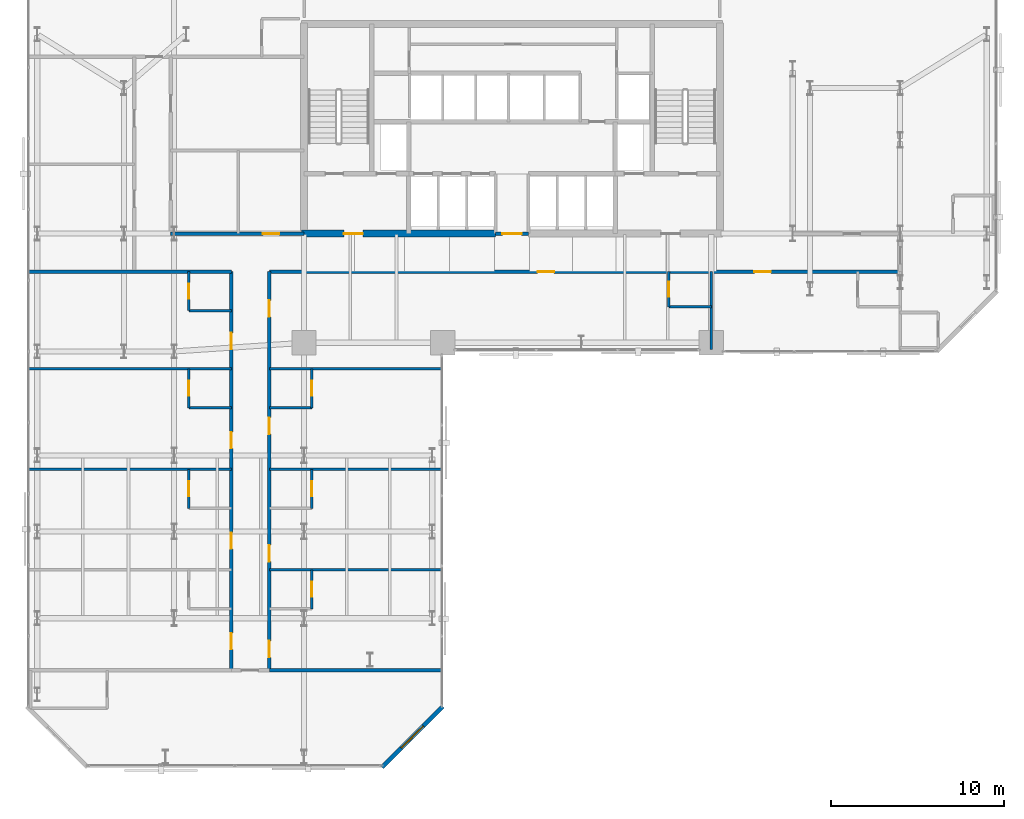
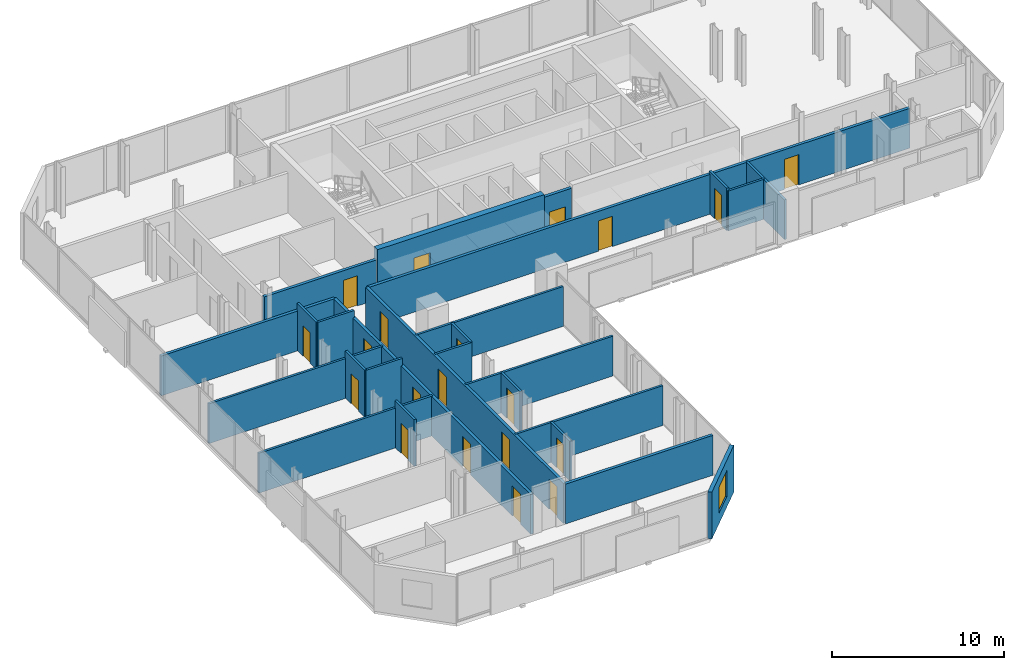
# One storey, part 29 of 33: 26 walls, 20 doors, 1 window, 21 openings.
"""IFC4 building model written with IfcOpenShell, lengths in metres."""

from ifc_helpers import new_model, si_unit, direction, frame, frame_2d, origin, place, context, subcontext, project, spatial, rectangle, extrude, material, layer, layer_set, type_object, element, fill, save


model = new_model("IFC4")

# Units and contexts
model_context = context("Model", 3, precision=1e-05, world=origin(), true_north=direction((0.0, 1.0)))
body_context = subcontext(model_context, "Body", "Model", "MODEL_VIEW")
ifc_project = project(units=[si_unit("LENGTHUNIT", "METRE"), si_unit("AREAUNIT", "SQUARE_METRE"), si_unit("VOLUMEUNIT", "CUBIC_METRE"), si_unit("PLANEANGLEUNIT", "RADIAN"), si_unit("MASSUNIT", "GRAM", prefix="KILO")], contexts=[model_context])

# Site, building, storey
site_placement = place(None, origin())
site = spatial("IfcSite", under=ifc_project, at=site_placement, CompositionType="ELEMENT")
building_placement = place(site_placement, origin())
building = spatial("IfcBuilding", under=site, at=building_placement, Name="Catumbela Crestline Tower", CompositionType="ELEMENT")
storey_placement = place(building_placement, frame((0.0, 0.0, 72.6)))
storey = spatial("IfcBuildingStorey", under=building, at=storey_placement, Name="L18", CompositionType="ELEMENT", Elevation=72.6)

# Wall, opening, door
ifc_material_1 = material(Name="Concrete C60/75", Category="concrete")
ifc_layer_1 = layer(ifc_material_1, 0.4, Name="Concrete C60/75")
ifc_layer_set_1 = layer_set([ifc_layer_1], Name="Concrete C60/75")
wall_type_1 = type_object("IfcWallType", Name="CW-400A", PredefinedType="SHEAR", material=ifc_layer_set_1)
wall_1_placement = place(storey_placement, frame((15.85, 30.8, 0.0), z_axis=(0.0, 0.0, 1.0), x_axis=(1.0, 0.0, 0.0)))
wall_1 = element("IfcWall", 1, at=wall_1_placement, inside=storey, type_object=wall_type_1, Name="L18 Structural Core Shear Wall SW", PredefinedType="SHEAR", context=body_context, shape_type="SweptSolid", body=[
    extrude(rectangle(XDim=11.2, YDim=0.4, at=frame_2d((5.6, 0.0))), origin(), (0.0, 0.0, 1.0), 3.6),
])
opening_1_placement = place(wall_1_placement, frame((2.45, 0.0, 0.0)))
opening_1 = element("IfcOpeningElement", 2, at=opening_1_placement, cuts=wall_1, Name="Opening DF9-110", PredefinedType="OPENING", context=body_context, shape_type="SweptSolid", body=[
    extrude(rectangle(XDim=1.1, YDim=2.15, at=frame_2d((0.55, 1.075))), frame((0.0, 0.21, 0.0), z_axis=(0.0, -1.0, 0.0), x_axis=(1.0, 0.0, 0.0)), (0.0, 0.0, 1.0), 0.42),
])
ifc_material_2 = material(Name="Stainless steel EN 1.4401", Category="steel")
door_type_1 = type_object("IfcDoorType", Name="DF9-110", OperationType="NOTDEFINED", PredefinedType="DOOR", material=ifc_material_2)
door_1_placement = place(opening_1_placement, origin())
door_1 = element("IfcDoor", 3, at=door_1_placement, inside=storey, type_object=door_type_1, Name="L18 Interior Door DR-L18-FFW-S", OperationType="SINGLE_SWING_LEFT", OverallHeight=2.15, OverallWidth=1.1, PredefinedType="DOOR", context=body_context, shape_type="SweptSolid", body=[
    extrude(rectangle(XDim=1.1, YDim=2.15, at=frame_2d((0.55, 1.075))), frame((0.0, 0.025, 0.0), z_axis=(0.0, -1.0, 0.0), x_axis=(1.0, 0.0, 0.0)), (0.0, 0.0, 1.0), 0.05),
])
fill(opening_1, door_1)

ifc_material_3 = material(Name="Acoustic gypsum and mineral-wool partition")
ifc_layer_2 = layer(ifc_material_3, 0.2, Name="Acoustic gypsum and mineral-wool partition")
ifc_layer_set_2 = layer_set([ifc_layer_2], Name="Acoustic gypsum and mineral-wool partition")
wall_type_2 = type_object("IfcWallType", Name="WC-200", PredefinedType="PARTITIONING", material=ifc_layer_set_2)
wall_2_placement = place(storey_placement, frame((27.05, 30.8, 0.0), z_axis=(0.0, 0.0, 1.0), x_axis=(1.0, 0.0, 0.0)))
wall_2 = element("IfcWall", 4, at=wall_2_placement, inside=storey, type_object=wall_type_2, Name="L18 Interior Partition PW-L18-CLOBS", PredefinedType="PARTITIONING", context=body_context, shape_type="SweptSolid", body=[
    extrude(rectangle(XDim=1.9, YDim=0.2, at=frame_2d((0.95, 0.0))), origin(), (0.0, 0.0, 1.0), 3.33),
])
opening_2_placement = place(wall_2_placement, frame((0.4, 0.0, 0.0)))
opening_2 = element("IfcOpeningElement", 5, at=opening_2_placement, cuts=wall_2, Name="Opening DF9-110", PredefinedType="OPENING", context=body_context, shape_type="SweptSolid", body=[
    extrude(rectangle(XDim=1.1, YDim=2.15, at=frame_2d((0.55, 1.075))), frame((0.0, 0.11, 0.0), z_axis=(0.0, -1.0, 0.0), x_axis=(1.0, 0.0, 0.0)), (0.0, 0.0, 1.0), 0.22),
])
door_2_placement = place(opening_2_placement, origin())
door_2 = element("IfcDoor", 6, at=door_2_placement, inside=storey, type_object=door_type_1, Name="L18 Interior Door DR-L18-CLOBS", OperationType="SINGLE_SWING_LEFT", OverallHeight=2.15, OverallWidth=1.1, PredefinedType="DOOR", context=body_context, shape_type="SweptSolid", body=[
    extrude(rectangle(XDim=1.1, YDim=2.15, at=frame_2d((0.55, 1.075))), frame((0.0, 0.025, 0.0), z_axis=(0.0, -1.0, 0.0), x_axis=(1.0, 0.0, 0.0)), (0.0, 0.0, 1.0), 0.05),
])
fill(opening_2, door_2)

# Wall
wall_3_placement = place(storey_placement, frame((0.1, 28.6, 0.0), z_axis=(0.0, 0.0, 1.0), x_axis=(1.0, 0.0, 0.0)))
element("IfcWall", 7, at=wall_3_placement, inside=storey, type_object=wall_type_2, Name="L18 Interior Partition PW-L18-CWGL-N", PredefinedType="PARTITIONING", context=body_context, shape_type="SweptSolid", body=[
    extrude(rectangle(XDim=11.7, YDim=0.2, at=frame_2d((5.85, 0.0))), origin(), (0.0, 0.0, 1.0), 2.83),
])

# Wall, openings, doors
wall_4_placement = place(storey_placement, frame((14.0, 28.6, 0.0), z_axis=(0.0, 0.0, 1.0), x_axis=(1.0, 0.0, 0.0)))
wall_4 = element("IfcWall", 8, at=wall_4_placement, inside=storey, type_object=wall_type_2, Name="L18 Interior Partition PW-L18-CWGR-N", PredefinedType="PARTITIONING", context=body_context, shape_type="SweptSolid", body=[
    extrude(rectangle(XDim=36.4, YDim=0.2, at=frame_2d((18.2, 0.0))), origin(), (0.0, 0.0, 1.0), 2.83),
])
opening_3_placement = place(wall_4_placement, frame((15.475, 0.0, 0.0)))
opening_3 = element("IfcOpeningElement", 9, at=opening_3_placement, cuts=wall_4, Name="Opening DF6-095", PredefinedType="OPENING", context=body_context, shape_type="SweptSolid", body=[
    extrude(rectangle(XDim=0.95, YDim=2.15, at=frame_2d((0.475, 1.075))), frame((0.0, 0.11, 0.0), z_axis=(0.0, -1.0, 0.0), x_axis=(1.0, 0.0, 0.0)), (0.0, 0.0, 1.0), 0.22),
])
opening_4_placement = place(wall_4_placement, frame((27.9859, 0.0, 0.0)))
opening_4 = element("IfcOpeningElement", 10, at=opening_4_placement, cuts=wall_4, Name="Opening DF6-095", PredefinedType="OPENING", context=body_context, shape_type="SweptSolid", body=[
    extrude(rectangle(XDim=0.95, YDim=2.15, at=frame_2d((0.475, 1.075))), frame((0.0, 0.11, 0.0), z_axis=(0.0, -1.0, 0.0), x_axis=(1.0, 0.0, 0.0)), (0.0, 0.0, 1.0), 0.22),
])
ifc_material_4 = material(Name="Aluminium alloy AW-6060-T66", Category="aluminium")
door_type_2 = type_object("IfcDoorType", Name="DF6-095", OperationType="NOTDEFINED", PredefinedType="DOOR", material=ifc_material_4)
door_3_placement = place(opening_3_placement, origin())
door_3 = element("IfcDoor", 11, at=door_3_placement, inside=storey, type_object=door_type_2, Name="L18 Interior Door DR-L18-K1-ENT", OperationType="SINGLE_SWING_LEFT", OverallHeight=2.15, OverallWidth=0.95, PredefinedType="DOOR", context=body_context, shape_type="SweptSolid", body=[
    extrude(rectangle(XDim=0.95, YDim=2.15, at=frame_2d((0.475, 1.075))), frame((0.0, 0.025, 0.0), z_axis=(0.0, -1.0, 0.0), x_axis=(1.0, 0.0, 0.0)), (0.0, 0.0, 1.0), 0.05),
])
fill(opening_3, door_3)
door_4_placement = place(opening_4_placement, origin())
door_4 = element("IfcDoor", 12, at=door_4_placement, inside=storey, type_object=door_type_2, Name="L18 Interior Door DR-L18-K2-ENT", OperationType="SINGLE_SWING_RIGHT", OverallHeight=2.15, OverallWidth=0.95, PredefinedType="DOOR", context=body_context, shape_type="SweptSolid", body=[
    extrude(rectangle(XDim=0.95, YDim=2.15, at=frame_2d((0.475, 1.075))), frame((0.0, 0.025, 0.0), z_axis=(0.0, -1.0, 0.0), x_axis=(1.0, 0.0, 0.0)), (0.0, 0.0, 1.0), 0.05),
])
fill(opening_4, door_4)

# Wall, opening, door
wall_5_placement = place(storey_placement, frame((8.3, 30.8, 0.0), z_axis=(0.0, 0.0, 1.0), x_axis=(1.0, 0.0, 0.0)))
wall_5 = element("IfcWall", 13, at=wall_5_placement, inside=storey, type_object=wall_type_2, Name="L18 Interior Partition PW-L18-HK-S", PredefinedType="PARTITIONING", context=body_context, shape_type="SweptSolid", body=[
    extrude(rectangle(XDim=7.7, YDim=0.2, at=frame_2d((3.85, 0.0))), origin(), (0.0, 0.0, 1.0), 2.83),
])
opening_5_placement = place(wall_5_placement, frame((5.325, 0.0, 0.0)))
opening_5 = element("IfcOpeningElement", 14, at=opening_5_placement, cuts=wall_5, Name="Opening DF6-095", PredefinedType="OPENING", context=body_context, shape_type="SweptSolid", body=[
    extrude(rectangle(XDim=0.95, YDim=2.15, at=frame_2d((0.475, 1.075))), frame((0.0, 0.11, 0.0), z_axis=(0.0, -1.0, 0.0), x_axis=(1.0, 0.0, 0.0)), (0.0, 0.0, 1.0), 0.22),
])
door_5_placement = place(opening_5_placement, origin())
door_5 = element("IfcDoor", 15, at=door_5_placement, inside=storey, type_object=door_type_2, Name="L18 Interior Door DR-L18-HKP", OperationType="SINGLE_SWING_LEFT", OverallHeight=2.15, OverallWidth=0.95, PredefinedType="DOOR", context=body_context, shape_type="SweptSolid", body=[
    extrude(rectangle(XDim=0.95, YDim=2.15, at=frame_2d((0.475, 1.075))), frame((0.0, 0.025, 0.0), z_axis=(0.0, -1.0, 0.0), x_axis=(1.0, 0.0, 0.0)), (0.0, 0.0, 1.0), 0.05),
])
fill(opening_5, door_5)

# Wall, openings, doors
wall_6_placement = place(storey_placement, frame((11.8, 5.6, 0.0), z_axis=(0.0, 0.0, 1.0), x_axis=(0.0, 1.0, 0.0)))
wall_6 = element("IfcWall", 16, at=wall_6_placement, inside=storey, type_object=wall_type_2, Name="L18 Interior Partition PW-L18-WL1-ENT", PredefinedType="PARTITIONING", context=body_context, shape_type="SweptSolid", body=[
    extrude(rectangle(XDim=23.0, YDim=0.2, at=frame_2d((11.5, 0.0))), origin(), (0.0, 0.0, 1.0), 2.83),
])
opening_6_placement = place(wall_6_placement, frame((1.2, 0.0, 0.0)))
opening_6 = element("IfcOpeningElement", 17, at=opening_6_placement, cuts=wall_6, Name="Opening DF6-095", PredefinedType="OPENING", context=body_context, shape_type="SweptSolid", body=[
    extrude(rectangle(XDim=0.95, YDim=2.15, at=frame_2d((0.475, 1.075))), frame((0.0, 0.11, 0.0), z_axis=(0.0, -1.0, 0.0), x_axis=(1.0, 0.0, 0.0)), (0.0, 0.0, 1.0), 0.22),
])
opening_7_placement = place(wall_6_placement, frame((7.0, 0.0, 0.0)))
opening_7 = element("IfcOpeningElement", 18, at=opening_7_placement, cuts=wall_6, Name="Opening DF6-095", PredefinedType="OPENING", context=body_context, shape_type="SweptSolid", body=[
    extrude(rectangle(XDim=0.95, YDim=2.15, at=frame_2d((0.475, 1.075))), frame((0.0, 0.11, 0.0), z_axis=(0.0, -1.0, 0.0), x_axis=(1.0, 0.0, 0.0)), (0.0, 0.0, 1.0), 0.22),
])
opening_8_placement = place(wall_6_placement, frame((12.8, 0.0, 0.0)))
opening_8 = element("IfcOpeningElement", 19, at=opening_8_placement, cuts=wall_6, Name="Opening DF6-095", PredefinedType="OPENING", context=body_context, shape_type="SweptSolid", body=[
    extrude(rectangle(XDim=0.95, YDim=2.15, at=frame_2d((0.475, 1.075))), frame((0.0, 0.11, 0.0), z_axis=(0.0, -1.0, 0.0), x_axis=(1.0, 0.0, 0.0)), (0.0, 0.0, 1.0), 0.22),
])
opening_9_placement = place(wall_6_placement, frame((18.5145, 0.0, 0.0)))
opening_9 = element("IfcOpeningElement", 20, at=opening_9_placement, cuts=wall_6, Name="Opening DF6-095", PredefinedType="OPENING", context=body_context, shape_type="SweptSolid", body=[
    extrude(rectangle(XDim=0.95, YDim=2.15, at=frame_2d((0.475, 1.075))), frame((0.0, 0.11, 0.0), z_axis=(0.0, -1.0, 0.0), x_axis=(1.0, 0.0, 0.0)), (0.0, 0.0, 1.0), 0.22),
])
door_6_placement = place(opening_6_placement, origin())
door_6 = element("IfcDoor", 21, at=door_6_placement, inside=storey, type_object=door_type_2, Name="L18 Interior Door DR-L18-WL1-ENT", OperationType="SINGLE_SWING_LEFT", OverallHeight=2.15, OverallWidth=0.95, PredefinedType="DOOR", context=body_context, shape_type="SweptSolid", body=[
    extrude(rectangle(XDim=0.95, YDim=2.15, at=frame_2d((0.475, 1.075))), frame((0.0, 0.025, 0.0), z_axis=(0.0, -1.0, 0.0), x_axis=(1.0, 0.0, 0.0)), (0.0, 0.0, 1.0), 0.05),
])
fill(opening_6, door_6)
door_7_placement = place(opening_7_placement, origin())
door_7 = element("IfcDoor", 22, at=door_7_placement, inside=storey, type_object=door_type_2, Name="L18 Interior Door DR-L18-WL2-ENT", OperationType="SINGLE_SWING_RIGHT", OverallHeight=2.15, OverallWidth=0.95, PredefinedType="DOOR", context=body_context, shape_type="SweptSolid", body=[
    extrude(rectangle(XDim=0.95, YDim=2.15, at=frame_2d((0.475, 1.075))), frame((0.0, 0.025, 0.0), z_axis=(0.0, -1.0, 0.0), x_axis=(1.0, 0.0, 0.0)), (0.0, 0.0, 1.0), 0.05),
])
fill(opening_7, door_7)
door_8_placement = place(opening_8_placement, origin())
door_8 = element("IfcDoor", 23, at=door_8_placement, inside=storey, type_object=door_type_2, Name="L18 Interior Door DR-L18-WL3-ENT", OperationType="SINGLE_SWING_LEFT", OverallHeight=2.15, OverallWidth=0.95, PredefinedType="DOOR", context=body_context, shape_type="SweptSolid", body=[
    extrude(rectangle(XDim=0.95, YDim=2.15, at=frame_2d((0.475, 1.075))), frame((0.0, 0.025, 0.0), z_axis=(0.0, -1.0, 0.0), x_axis=(1.0, 0.0, 0.0)), (0.0, 0.0, 1.0), 0.05),
])
fill(opening_8, door_8)
door_9_placement = place(opening_9_placement, origin())
door_9 = element("IfcDoor", 24, at=door_9_placement, inside=storey, type_object=door_type_2, Name="L18 Interior Door DR-L18-WL4-ENT", OperationType="SINGLE_SWING_RIGHT", OverallHeight=2.15, OverallWidth=0.95, PredefinedType="DOOR", context=body_context, shape_type="SweptSolid", body=[
    extrude(rectangle(XDim=0.95, YDim=2.15, at=frame_2d((0.475, 1.075))), frame((0.0, 0.025, 0.0), z_axis=(0.0, -1.0, 0.0), x_axis=(1.0, 0.0, 0.0)), (0.0, 0.0, 1.0), 0.05),
])
fill(opening_9, door_9)

wall_7_placement = place(storey_placement, frame((14.0, 5.6, 0.0), z_axis=(0.0, 0.0, 1.0), x_axis=(0.0, 1.0, 0.0)))
wall_7 = element("IfcWall", 25, at=wall_7_placement, inside=storey, type_object=wall_type_2, Name="L18 Interior Partition PW-L18-WR1-ENT", PredefinedType="PARTITIONING", context=body_context, shape_type="SweptSolid", body=[
    extrude(rectangle(XDim=23.0, YDim=0.2, at=frame_2d((11.5, 0.0))), origin(), (0.0, 0.0, 1.0), 2.83),
])
opening_10_placement = place(wall_7_placement, frame((0.74, 0.0, 0.0)))
opening_10 = element("IfcOpeningElement", 26, at=opening_10_placement, cuts=wall_7, Name="Opening DF6-095", PredefinedType="OPENING", context=body_context, shape_type="SweptSolid", body=[
    extrude(rectangle(XDim=0.95, YDim=2.15, at=frame_2d((0.475, 1.075))), frame((0.0, 0.11, 0.0), z_axis=(0.0, -1.0, 0.0), x_axis=(1.0, 0.0, 0.0)), (0.0, 0.0, 1.0), 0.22),
])
opening_11_placement = place(wall_7_placement, frame((6.2709, 0.0, 0.0)))
opening_11 = element("IfcOpeningElement", 27, at=opening_11_placement, cuts=wall_7, Name="Opening DF6-095", PredefinedType="OPENING", context=body_context, shape_type="SweptSolid", body=[
    extrude(rectangle(XDim=0.95, YDim=2.15, at=frame_2d((0.475, 1.075))), frame((0.0, 0.11, 0.0), z_axis=(0.0, -1.0, 0.0), x_axis=(1.0, 0.0, 0.0)), (0.0, 0.0, 1.0), 0.22),
])
opening_12_placement = place(wall_7_placement, frame((13.6255, 0.0, 0.0)))
opening_12 = element("IfcOpeningElement", 28, at=opening_12_placement, cuts=wall_7, Name="Opening DF6-095", PredefinedType="OPENING", context=body_context, shape_type="SweptSolid", body=[
    extrude(rectangle(XDim=0.95, YDim=2.15, at=frame_2d((0.475, 1.075))), frame((0.0, 0.11, 0.0), z_axis=(0.0, -1.0, 0.0), x_axis=(1.0, 0.0, 0.0)), (0.0, 0.0, 1.0), 0.22),
])
opening_13_placement = place(wall_7_placement, frame((20.3933, 0.0, 0.0)))
opening_13 = element("IfcOpeningElement", 29, at=opening_13_placement, cuts=wall_7, Name="Opening DF6-095", PredefinedType="OPENING", context=body_context, shape_type="SweptSolid", body=[
    extrude(rectangle(XDim=0.95, YDim=2.15, at=frame_2d((0.475, 1.075))), frame((0.0, 0.11, 0.0), z_axis=(0.0, -1.0, 0.0), x_axis=(1.0, 0.0, 0.0)), (0.0, 0.0, 1.0), 0.22),
])
door_10_placement = place(opening_10_placement, origin())
door_10 = element("IfcDoor", 30, at=door_10_placement, inside=storey, type_object=door_type_2, Name="L18 Interior Door DR-L18-WR1-ENT", OperationType="SINGLE_SWING_LEFT", OverallHeight=2.15, OverallWidth=0.95, PredefinedType="DOOR", context=body_context, shape_type="SweptSolid", body=[
    extrude(rectangle(XDim=0.95, YDim=2.15, at=frame_2d((0.475, 1.075))), frame((0.0, 0.025, 0.0), z_axis=(0.0, -1.0, 0.0), x_axis=(1.0, 0.0, 0.0)), (0.0, 0.0, 1.0), 0.05),
])
fill(opening_10, door_10)
door_11_placement = place(opening_11_placement, origin())
door_11 = element("IfcDoor", 31, at=door_11_placement, inside=storey, type_object=door_type_2, Name="L18 Interior Door DR-L18-WR2-ENT", OperationType="SINGLE_SWING_RIGHT", OverallHeight=2.15, OverallWidth=0.95, PredefinedType="DOOR", context=body_context, shape_type="SweptSolid", body=[
    extrude(rectangle(XDim=0.95, YDim=2.15, at=frame_2d((0.475, 1.075))), frame((0.0, 0.025, 0.0), z_axis=(0.0, -1.0, 0.0), x_axis=(1.0, 0.0, 0.0)), (0.0, 0.0, 1.0), 0.05),
])
fill(opening_11, door_11)
door_12_placement = place(opening_12_placement, origin())
door_12 = element("IfcDoor", 32, at=door_12_placement, inside=storey, type_object=door_type_2, Name="L18 Interior Door DR-L18-WR3-ENT", OperationType="SINGLE_SWING_LEFT", OverallHeight=2.15, OverallWidth=0.95, PredefinedType="DOOR", context=body_context, shape_type="SweptSolid", body=[
    extrude(rectangle(XDim=0.95, YDim=2.15, at=frame_2d((0.475, 1.075))), frame((0.0, 0.025, 0.0), z_axis=(0.0, -1.0, 0.0), x_axis=(1.0, 0.0, 0.0)), (0.0, 0.0, 1.0), 0.05),
])
fill(opening_12, door_12)
door_13_placement = place(opening_13_placement, origin())
door_13 = element("IfcDoor", 33, at=door_13_placement, inside=storey, type_object=door_type_2, Name="L18 Interior Door DR-L18-WR4-ENT", OperationType="SINGLE_SWING_RIGHT", OverallHeight=2.15, OverallWidth=0.95, PredefinedType="DOOR", context=body_context, shape_type="SweptSolid", body=[
    extrude(rectangle(XDim=0.95, YDim=2.15, at=frame_2d((0.475, 1.075))), frame((0.0, 0.025, 0.0), z_axis=(0.0, -1.0, 0.0), x_axis=(1.0, 0.0, 0.0)), (0.0, 0.0, 1.0), 0.05),
])
fill(opening_13, door_13)

# Wall, opening, window
ifc_material_5 = material(Name="Angolan grey-ochre granite", Category="masonry")
ifc_layer_3 = layer(ifc_material_5, 0.25, Name="Angolan grey-ochre granite")
ifc_layer_set_3 = layer_set([ifc_layer_3], Name="Angolan grey-ochre granite")
wall_type_3 = type_object("IfcWallType", Name="WE-250", PredefinedType="STANDARD", material=ifc_layer_set_3)
wall_8_placement = place(storey_placement, frame((20.5, 0.0, 0.0), z_axis=(0.0, 0.0, 1.0), x_axis=(0.707106781187, 0.707106781187, 0.0)))
wall_8 = element("IfcWall", 34, at=wall_8_placement, inside=storey, type_object=wall_type_3, Name="L18 Granite Punched Window Wall 1-1", PredefinedType="STANDARD", context=body_context, shape_type="SweptSolid", body=[
    extrude(rectangle(XDim=4.9497, YDim=0.25, at=frame_2d((2.4748, 0.0))), origin(), (0.0, 0.0, 1.0), 3.33),
])
opening_14_placement = place(wall_8_placement, frame((1.5749, 0.0, 0.75)))
opening_14 = element("IfcOpeningElement", 35, at=opening_14_placement, cuts=wall_8, Name="Opening WN-01", PredefinedType="OPENING", context=body_context, shape_type="SweptSolid", body=[
    extrude(rectangle(XDim=1.8, YDim=1.85, at=frame_2d((0.9, 0.925))), frame((0.0, 0.135, 0.0), z_axis=(0.0, -1.0, 0.0), x_axis=(1.0, 0.0, 0.0)), (0.0, 0.0, 1.0), 0.27),
])
ifc_material_6 = material(Name="Low-E laminated solar-control double glazing", Category="glass")
window_type = type_object("IfcWindowType", Name="WF-1800", PartitioningType="SINGLE_PANEL", PredefinedType="WINDOW", material=ifc_material_6)
window_placement = place(opening_14_placement, origin())
window = element("IfcWindow", 36, at=window_placement, inside=storey, type_object=window_type, Name="L18 Facade Vision Window 113", OverallHeight=1.85, OverallWidth=1.8, PartitioningType="SINGLE_PANEL", PredefinedType="WINDOW", context=body_context, shape_type="SweptSolid", body=[
    extrude(rectangle(XDim=1.8, YDim=1.85, at=frame_2d((0.9, 0.925))), frame((0.0, 0.03, 0.0), z_axis=(0.0, -1.0, 0.0), x_axis=(1.0, 0.0, 0.0)), (0.0, 0.0, 1.0), 0.06),
])
fill(opening_14, window)

# Wall
ifc_layer_4 = layer(ifc_material_3, 0.15, Name="Acoustic gypsum and mineral-wool partition")
ifc_layer_set_4 = layer_set([ifc_layer_4], Name="Acoustic gypsum and mineral-wool partition")
wall_type_4 = type_object("IfcWallType", Name="WP-150", PredefinedType="PARTITIONING", material=ifc_layer_set_4)
wall_9_placement = place(storey_placement, frame((37.05, 26.576, 0.0), z_axis=(0.0, 0.0, 1.0), x_axis=(1.0, 0.0, 0.0)))
element("IfcWall", 37, at=wall_9_placement, inside=storey, type_object=wall_type_4, Name="L18 Interior Partition PW-L18-K1-BHW", PredefinedType="PARTITIONING", context=body_context, shape_type="SweptSolid", body=[
    extrude(rectangle(XDim=2.45, YDim=0.15, at=frame_2d((1.225, 0.0))), origin(), (0.0, 0.0, 1.0), 2.83),
])

# Wall, opening, door
wall_10_placement = place(storey_placement, frame((37.05, 26.576, 0.0), z_axis=(0.0, 0.0, 1.0), x_axis=(0.0, 1.0, 0.0)))
wall_10 = element("IfcWall", 38, at=wall_10_placement, inside=storey, type_object=wall_type_4, Name="L18 Interior Partition PW-L18-K1-BWW", PredefinedType="PARTITIONING", context=body_context, shape_type="SweptSolid", body=[
    extrude(rectangle(XDim=2.024, YDim=0.15, at=frame_2d((1.012, 0.0))), origin(), (0.0, 0.0, 1.0), 3.02),
])
opening_15_placement = place(wall_10_placement, frame((0.587, 0.0, 0.0)))
opening_15 = element("IfcOpeningElement", 39, at=opening_15_placement, cuts=wall_10, Name="Opening DI-085", PredefinedType="OPENING", context=body_context, shape_type="SweptSolid", body=[
    extrude(rectangle(XDim=0.85, YDim=2.15, at=frame_2d((0.425, 1.075))), frame((0.0, 0.085, 0.0), z_axis=(0.0, -1.0, 0.0), x_axis=(1.0, 0.0, 0.0)), (0.0, 0.0, 1.0), 0.17),
])
door_type_3 = type_object("IfcDoorType", Name="DI-085", OperationType="NOTDEFINED", PredefinedType="DOOR", material=ifc_material_4)
door_14_placement = place(opening_15_placement, origin())
door_14 = element("IfcDoor", 40, at=door_14_placement, inside=storey, type_object=door_type_3, Name="L18 Interior Door DR-L18-K1-BTH", OperationType="SINGLE_SWING_RIGHT", OverallHeight=2.15, OverallWidth=0.85, PredefinedType="DOOR", context=body_context, shape_type="SweptSolid", body=[
    extrude(rectangle(XDim=0.85, YDim=2.15, at=frame_2d((0.425, 1.075))), frame((0.0, 0.025, 0.0), z_axis=(0.0, -1.0, 0.0), x_axis=(1.0, 0.0, 0.0)), (0.0, 0.0, 1.0), 0.05),
])
fill(opening_15, door_14)

# Wall
wall_11_placement = place(storey_placement, frame((39.5, 28.6, 0.0), z_axis=(0.0, 0.0, 1.0), x_axis=(0.0, -1.0, 0.0)))
element("IfcWall", 41, at=wall_11_placement, inside=storey, type_object=wall_type_4, Name="L18 Interior Partition PW-L18-K1-BCL-2", PredefinedType="PARTITIONING", context=body_context, shape_type="SweptSolid", body=[
    extrude(rectangle(XDim=4.5, YDim=0.15, at=frame_2d((2.25, 0.0))), origin(), (0.0, 0.0, 1.0), 2.83),
])

# Wall, opening, door
wall_12_placement = place(storey_placement, frame((16.45, 9.15, 0.0), z_axis=(0.0, 0.0, 1.0), x_axis=(0.0, 1.0, 0.0)))
wall_12 = element("IfcWall", 42, at=wall_12_placement, inside=storey, type_object=wall_type_4, Name="L18 Interior Partition PW-L18-WR1-BEW", PredefinedType="PARTITIONING", context=body_context, shape_type="SweptSolid", body=[
    extrude(rectangle(XDim=2.25, YDim=0.15, at=frame_2d((1.125, 0.0))), origin(), (0.0, 0.0, 1.0), 2.83),
])
opening_16_placement = place(wall_12_placement, frame((0.7, 0.0, 0.0)))
opening_16 = element("IfcOpeningElement", 43, at=opening_16_placement, cuts=wall_12, Name="Opening DI-085", PredefinedType="OPENING", context=body_context, shape_type="SweptSolid", body=[
    extrude(rectangle(XDim=0.85, YDim=2.15, at=frame_2d((0.425, 1.075))), frame((0.0, 0.085, 0.0), z_axis=(0.0, -1.0, 0.0), x_axis=(1.0, 0.0, 0.0)), (0.0, 0.0, 1.0), 0.17),
])
door_15_placement = place(opening_16_placement, origin())
door_15 = element("IfcDoor", 44, at=door_15_placement, inside=storey, type_object=door_type_3, Name="L18 Interior Door DR-L18-WR1-BTH", OperationType="SINGLE_SWING_LEFT", OverallHeight=2.15, OverallWidth=0.85, PredefinedType="DOOR", context=body_context, shape_type="SweptSolid", body=[
    extrude(rectangle(XDim=0.85, YDim=2.15, at=frame_2d((0.425, 1.075))), frame((0.0, 0.025, 0.0), z_axis=(0.0, -1.0, 0.0), x_axis=(1.0, 0.0, 0.0)), (0.0, 0.0, 1.0), 0.05),
])
fill(opening_16, door_15)

# Wall
wall_13_placement = place(storey_placement, frame((14.0, 11.4, 0.0), z_axis=(0.0, 0.0, 1.0), x_axis=(1.0, 0.0, 0.0)))
element("IfcWall", 45, at=wall_13_placement, inside=storey, type_object=wall_type_4, Name="L18 Interior Partition PW-L18-WR1-BCL-1", PredefinedType="PARTITIONING", context=body_context, shape_type="SweptSolid", body=[
    extrude(rectangle(XDim=9.9, YDim=0.15, at=frame_2d((4.95, 0.0))), origin(), (0.0, 0.0, 1.0), 2.83),
])

# Wall, opening, door
wall_14_placement = place(storey_placement, frame((9.35, 14.95, 0.0), z_axis=(0.0, 0.0, 1.0), x_axis=(0.0, 1.0, 0.0)))
wall_14 = element("IfcWall", 46, at=wall_14_placement, inside=storey, type_object=wall_type_4, Name="L18 Interior Partition PW-L18-WL2-BWW", PredefinedType="PARTITIONING", context=body_context, shape_type="SweptSolid", body=[
    extrude(rectangle(XDim=2.25, YDim=0.15, at=frame_2d((1.125, 0.0))), origin(), (0.0, 0.0, 1.0), 3.33),
])
opening_17_placement = place(wall_14_placement, frame((0.7, 0.0, 0.0)))
opening_17 = element("IfcOpeningElement", 47, at=opening_17_placement, cuts=wall_14, Name="Opening DI-085", PredefinedType="OPENING", context=body_context, shape_type="SweptSolid", body=[
    extrude(rectangle(XDim=0.85, YDim=2.15, at=frame_2d((0.425, 1.075))), frame((0.0, 0.085, 0.0), z_axis=(0.0, -1.0, 0.0), x_axis=(1.0, 0.0, 0.0)), (0.0, 0.0, 1.0), 0.17),
])
door_16_placement = place(opening_17_placement, origin())
door_16 = element("IfcDoor", 48, at=door_16_placement, inside=storey, type_object=door_type_3, Name="L18 Interior Door DR-L18-WL2-BTH", OperationType="SINGLE_SWING_RIGHT", OverallHeight=2.15, OverallWidth=0.85, PredefinedType="DOOR", context=body_context, shape_type="SweptSolid", body=[
    extrude(rectangle(XDim=0.85, YDim=2.15, at=frame_2d((0.425, 1.075))), frame((0.0, 0.025, 0.0), z_axis=(0.0, -1.0, 0.0), x_axis=(1.0, 0.0, 0.0)), (0.0, 0.0, 1.0), 0.05),
])
fill(opening_17, door_16)

# Wall
wall_15_placement = place(storey_placement, frame((0.1, 17.2, 0.0), z_axis=(0.0, 0.0, 1.0), x_axis=(1.0, 0.0, 0.0)))
element("IfcWall", 49, at=wall_15_placement, inside=storey, type_object=wall_type_4, Name="L18 Interior Partition PW-L18-WL2-BCL-1", PredefinedType="PARTITIONING", context=body_context, shape_type="SweptSolid", body=[
    extrude(rectangle(XDim=11.7, YDim=0.15, at=frame_2d((5.85, 0.0))), origin(), (0.0, 0.0, 1.0), 2.83),
])

# Wall, opening, door
wall_16_placement = place(storey_placement, frame((16.45, 14.95, 0.0), z_axis=(0.0, 0.0, 1.0), x_axis=(0.0, 1.0, 0.0)))
wall_16 = element("IfcWall", 50, at=wall_16_placement, inside=storey, type_object=wall_type_4, Name="L18 Interior Partition PW-L18-WR2-BEW", PredefinedType="PARTITIONING", context=body_context, shape_type="SweptSolid", body=[
    extrude(rectangle(XDim=2.25, YDim=0.15, at=frame_2d((1.125, 0.0))), origin(), (0.0, 0.0, 1.0), 2.83),
])
opening_18_placement = place(wall_16_placement, frame((0.7, 0.0, 0.0)))
opening_18 = element("IfcOpeningElement", 51, at=opening_18_placement, cuts=wall_16, Name="Opening DI-085", PredefinedType="OPENING", context=body_context, shape_type="SweptSolid", body=[
    extrude(rectangle(XDim=0.85, YDim=2.15, at=frame_2d((0.425, 1.075))), frame((0.0, 0.085, 0.0), z_axis=(0.0, -1.0, 0.0), x_axis=(1.0, 0.0, 0.0)), (0.0, 0.0, 1.0), 0.17),
])
door_17_placement = place(opening_18_placement, origin())
door_17 = element("IfcDoor", 52, at=door_17_placement, inside=storey, type_object=door_type_3, Name="L18 Interior Door DR-L18-WR2-BTH", OperationType="SINGLE_SWING_LEFT", OverallHeight=2.15, OverallWidth=0.85, PredefinedType="DOOR", context=body_context, shape_type="SweptSolid", body=[
    extrude(rectangle(XDim=0.85, YDim=2.15, at=frame_2d((0.425, 1.075))), frame((0.0, 0.025, 0.0), z_axis=(0.0, -1.0, 0.0), x_axis=(1.0, 0.0, 0.0)), (0.0, 0.0, 1.0), 0.05),
])
fill(opening_18, door_17)

# Walls
wall_17_placement = place(storey_placement, frame((14.0, 17.2, 0.0), z_axis=(0.0, 0.0, 1.0), x_axis=(1.0, 0.0, 0.0)))
element("IfcWall", 53, at=wall_17_placement, inside=storey, type_object=wall_type_4, Name="L18 Interior Partition PW-L18-WR2-BCL-1", PredefinedType="PARTITIONING", context=body_context, shape_type="SweptSolid", body=[
    extrude(rectangle(XDim=9.9, YDim=0.15, at=frame_2d((4.95, 0.0))), origin(), (0.0, 0.0, 1.0), 2.83),
])
wall_18_placement = place(storey_placement, frame((9.35, 20.75, 0.0), z_axis=(0.0, 0.0, 1.0), x_axis=(1.0, 0.0, 0.0)))
element("IfcWall", 54, at=wall_18_placement, inside=storey, type_object=wall_type_4, Name="L18 Interior Partition PW-L18-WL3-BSW", PredefinedType="PARTITIONING", context=body_context, shape_type="SweptSolid", body=[
    extrude(rectangle(XDim=2.45, YDim=0.15, at=frame_2d((1.225, 0.0))), origin(), (0.0, 0.0, 1.0), 3.33),
])

# Wall, opening, door
wall_19_placement = place(storey_placement, frame((9.35, 20.75, 0.0), z_axis=(0.0, 0.0, 1.0), x_axis=(0.0, 1.0, 0.0)))
wall_19 = element("IfcWall", 55, at=wall_19_placement, inside=storey, type_object=wall_type_4, Name="L18 Interior Partition PW-L18-WL3-BWW", PredefinedType="PARTITIONING", context=body_context, shape_type="SweptSolid", body=[
    extrude(rectangle(XDim=2.25, YDim=0.15, at=frame_2d((1.125, 0.0))), origin(), (0.0, 0.0, 1.0), 3.33),
])
opening_19_placement = place(wall_19_placement, frame((0.7, 0.0, 0.0)))
opening_19 = element("IfcOpeningElement", 56, at=opening_19_placement, cuts=wall_19, Name="Opening DI-085", PredefinedType="OPENING", context=body_context, shape_type="SweptSolid", body=[
    extrude(rectangle(XDim=0.85, YDim=2.15, at=frame_2d((0.425, 1.075))), frame((0.0, 0.085, 0.0), z_axis=(0.0, -1.0, 0.0), x_axis=(1.0, 0.0, 0.0)), (0.0, 0.0, 1.0), 0.17),
])
door_18_placement = place(opening_19_placement, origin())
door_18 = element("IfcDoor", 57, at=door_18_placement, inside=storey, type_object=door_type_3, Name="L18 Interior Door DR-L18-WL3-BTH", OperationType="SINGLE_SWING_RIGHT", OverallHeight=2.15, OverallWidth=0.85, PredefinedType="DOOR", context=body_context, shape_type="SweptSolid", body=[
    extrude(rectangle(XDim=0.85, YDim=2.15, at=frame_2d((0.425, 1.075))), frame((0.0, 0.025, 0.0), z_axis=(0.0, -1.0, 0.0), x_axis=(1.0, 0.0, 0.0)), (0.0, 0.0, 1.0), 0.05),
])
fill(opening_19, door_18)

# Walls
wall_20_placement = place(storey_placement, frame((0.1, 23.0, 0.0), z_axis=(0.0, 0.0, 1.0), x_axis=(1.0, 0.0, 0.0)))
element("IfcWall", 58, at=wall_20_placement, inside=storey, type_object=wall_type_4, Name="L18 Interior Partition PW-L18-WL3-BCL-1", PredefinedType="PARTITIONING", context=body_context, shape_type="SweptSolid", body=[
    extrude(rectangle(XDim=11.7, YDim=0.15, at=frame_2d((5.85, 0.0))), origin(), (0.0, 0.0, 1.0), 2.83),
])
wall_21_placement = place(storey_placement, frame((14.0, 20.75, 0.0), z_axis=(0.0, 0.0, 1.0), x_axis=(1.0, 0.0, 0.0)))
element("IfcWall", 59, at=wall_21_placement, inside=storey, type_object=wall_type_4, Name="L18 Interior Partition PW-L18-WR3-BSW", PredefinedType="PARTITIONING", context=body_context, shape_type="SweptSolid", body=[
    extrude(rectangle(XDim=2.45, YDim=0.15, at=frame_2d((1.225, 0.0))), origin(), (0.0, 0.0, 1.0), 2.83),
])

# Wall, opening, door
wall_22_placement = place(storey_placement, frame((16.45, 20.75, 0.0), z_axis=(0.0, 0.0, 1.0), x_axis=(0.0, 1.0, 0.0)))
wall_22 = element("IfcWall", 60, at=wall_22_placement, inside=storey, type_object=wall_type_4, Name="L18 Interior Partition PW-L18-WR3-BEW", PredefinedType="PARTITIONING", context=body_context, shape_type="SweptSolid", body=[
    extrude(rectangle(XDim=2.25, YDim=0.15, at=frame_2d((1.125, 0.0))), origin(), (0.0, 0.0, 1.0), 2.83),
])
opening_20_placement = place(wall_22_placement, frame((0.7, 0.0, 0.0)))
opening_20 = element("IfcOpeningElement", 61, at=opening_20_placement, cuts=wall_22, Name="Opening DI-085", PredefinedType="OPENING", context=body_context, shape_type="SweptSolid", body=[
    extrude(rectangle(XDim=0.85, YDim=2.15, at=frame_2d((0.425, 1.075))), frame((0.0, 0.085, 0.0), z_axis=(0.0, -1.0, 0.0), x_axis=(1.0, 0.0, 0.0)), (0.0, 0.0, 1.0), 0.17),
])
door_19_placement = place(opening_20_placement, origin())
door_19 = element("IfcDoor", 62, at=door_19_placement, inside=storey, type_object=door_type_3, Name="L18 Interior Door DR-L18-WR3-BTH", OperationType="SINGLE_SWING_LEFT", OverallHeight=2.15, OverallWidth=0.85, PredefinedType="DOOR", context=body_context, shape_type="SweptSolid", body=[
    extrude(rectangle(XDim=0.85, YDim=2.15, at=frame_2d((0.425, 1.075))), frame((0.0, 0.025, 0.0), z_axis=(0.0, -1.0, 0.0), x_axis=(1.0, 0.0, 0.0)), (0.0, 0.0, 1.0), 0.05),
])
fill(opening_20, door_19)

# Walls
wall_23_placement = place(storey_placement, frame((14.0, 23.0, 0.0), z_axis=(0.0, 0.0, 1.0), x_axis=(1.0, 0.0, 0.0)))
element("IfcWall", 63, at=wall_23_placement, inside=storey, type_object=wall_type_4, Name="L18 Interior Partition PW-L18-WR3-BCL-1", PredefinedType="PARTITIONING", context=body_context, shape_type="SweptSolid", body=[
    extrude(rectangle(XDim=9.9, YDim=0.15, at=frame_2d((4.95, 0.0))), origin(), (0.0, 0.0, 1.0), 2.83),
])
wall_24_placement = place(storey_placement, frame((9.35, 26.36, 0.0), z_axis=(0.0, 0.0, 1.0), x_axis=(1.0, 0.0, 0.0)))
element("IfcWall", 64, at=wall_24_placement, inside=storey, type_object=wall_type_4, Name="L18 Interior Partition PW-L18-WL4-BSW", PredefinedType="PARTITIONING", context=body_context, shape_type="SweptSolid", body=[
    extrude(rectangle(XDim=2.45, YDim=0.15, at=frame_2d((1.225, 0.0))), origin(), (0.0, 0.0, 1.0), 3.33),
])

# Wall, opening, door
wall_25_placement = place(storey_placement, frame((9.35, 26.36, 0.0), z_axis=(0.0, 0.0, 1.0), x_axis=(0.0, 1.0, 0.0)))
wall_25 = element("IfcWall", 65, at=wall_25_placement, inside=storey, type_object=wall_type_4, Name="L18 Interior Partition PW-L18-WL4-BWW", PredefinedType="PARTITIONING", context=body_context, shape_type="SweptSolid", body=[
    extrude(rectangle(XDim=2.24, YDim=0.15, at=frame_2d((1.12, 0.0))), origin(), (0.0, 0.0, 1.0), 3.33),
])
opening_21_placement = place(wall_25_placement, frame((0.695, 0.0, 0.0)))
opening_21 = element("IfcOpeningElement", 66, at=opening_21_placement, cuts=wall_25, Name="Opening DI-085", PredefinedType="OPENING", context=body_context, shape_type="SweptSolid", body=[
    extrude(rectangle(XDim=0.85, YDim=2.15, at=frame_2d((0.425, 1.075))), frame((0.0, 0.085, 0.0), z_axis=(0.0, -1.0, 0.0), x_axis=(1.0, 0.0, 0.0)), (0.0, 0.0, 1.0), 0.17),
])
door_20_placement = place(opening_21_placement, origin())
door_20 = element("IfcDoor", 67, at=door_20_placement, inside=storey, type_object=door_type_3, Name="L18 Interior Door DR-L18-WL4-BTH", OperationType="SINGLE_SWING_RIGHT", OverallHeight=2.15, OverallWidth=0.85, PredefinedType="DOOR", context=body_context, shape_type="SweptSolid", body=[
    extrude(rectangle(XDim=0.85, YDim=2.15, at=frame_2d((0.425, 1.075))), frame((0.0, 0.025, 0.0), z_axis=(0.0, -1.0, 0.0), x_axis=(1.0, 0.0, 0.0)), (0.0, 0.0, 1.0), 0.05),
])
fill(opening_21, door_20)

# Wall
ifc_layer_5 = layer(ifc_material_3, 0.2, Name="Acoustic gypsum and mineral-wool partition")
ifc_layer_set_5 = layer_set([ifc_layer_5], Name="Acoustic gypsum and mineral-wool partition")
wall_type_5 = type_object("IfcWallType", Name="WY-200", PredefinedType="PARTITIONING", material=ifc_layer_set_5)
wall_26_placement = place(storey_placement, frame((14.0, 5.6, 0.0), z_axis=(0.0, 0.0, 1.0), x_axis=(1.0, 0.0, 0.0)))
element("IfcWall", 68, at=wall_26_placement, inside=storey, type_object=wall_type_5, Name="L18 Interior Partition PW-L18-WTIP-WR", PredefinedType="PARTITIONING", context=body_context, shape_type="SweptSolid", body=[
    extrude(rectangle(XDim=9.9, YDim=0.2, at=frame_2d((4.95, 0.0))), origin(), (0.0, 0.0, 1.0), 2.83),
])

save(model, "model.ifc")
